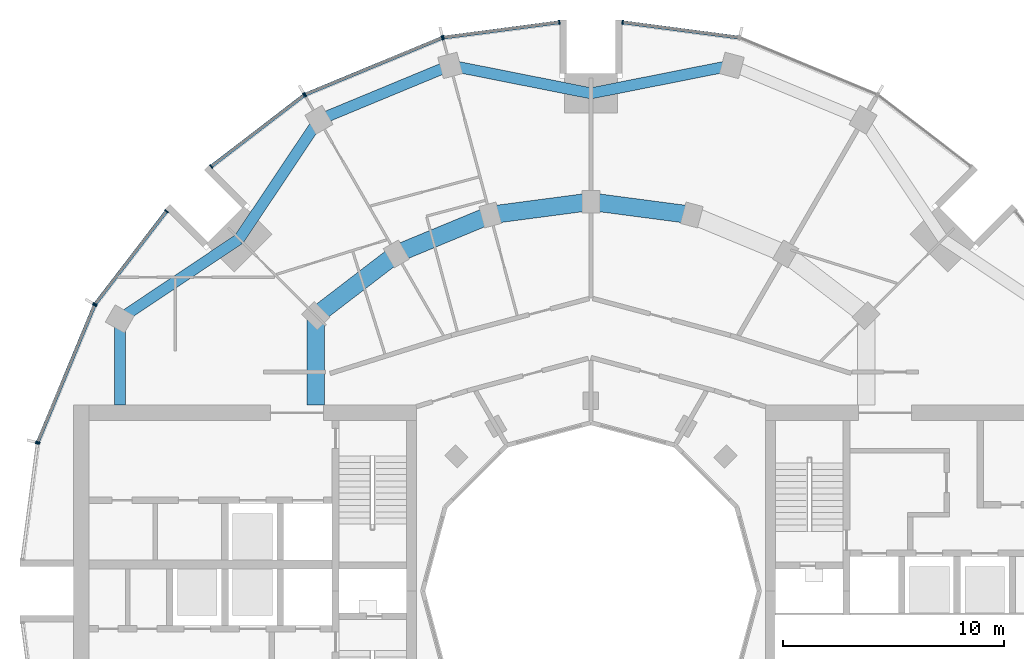
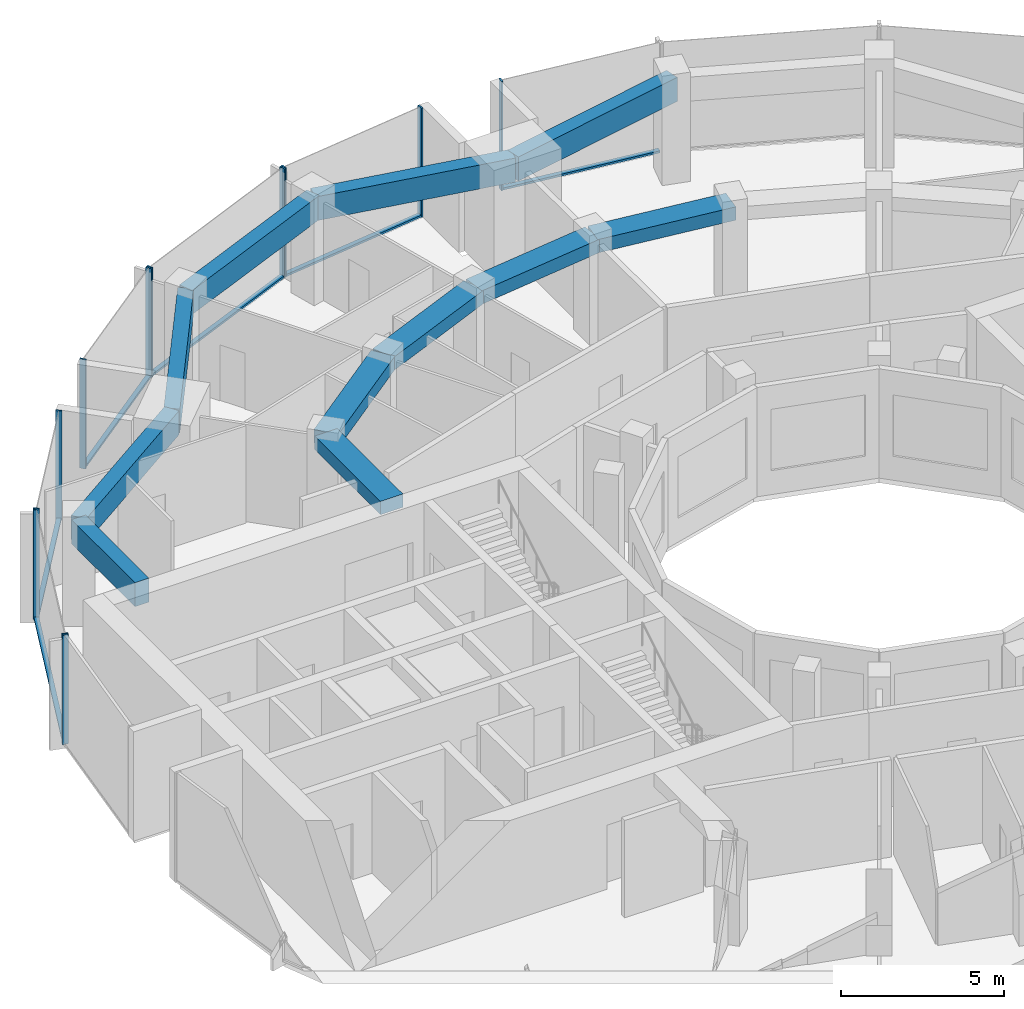
# One storey, part 5 of 15: 18 members, 11 beams, 7 elements without a shape of their own.
"""IFC4 building model written with IfcOpenShell, lengths in metres."""

from ifc_helpers import new_model, si_unit, direction, frame, origin, origin_2d, place, context, subcontext, project, spatial, rectangle, extrude, material, layer, layer_set, material_profile, profile_set, type_object, element, aggregate, save


model = new_model("IFC4")

# Units and contexts
model_context = context("Model", 3, precision=1e-05, world=origin(), true_north=direction((0.0, 1.0)))
body_context = subcontext(model_context, "Body", "Model", "MODEL_VIEW")
ifc_project = project(units=[si_unit("LENGTHUNIT", "METRE"), si_unit("AREAUNIT", "SQUARE_METRE"), si_unit("VOLUMEUNIT", "CUBIC_METRE"), si_unit("PLANEANGLEUNIT", "RADIAN"), si_unit("MASSUNIT", "GRAM", prefix="KILO")], contexts=[model_context])

# Site, building, storey
site_placement = place(None, origin())
site = spatial("IfcSite", under=ifc_project, at=site_placement, CompositionType="ELEMENT")
building_placement = place(site_placement, origin())
building = spatial("IfcBuilding", under=site, at=building_placement, Name="Torre Brocal", CompositionType="ELEMENT")
storey_placement = place(building_placement, frame((0.0, 0.0, 161.800048828125)))
storey = spatial("IfcBuildingStorey", under=building, at=storey_placement, Name="L37", CompositionType="ELEMENT", Elevation=161.800048828125)

# Curtain wall, member
ifc_material_1 = material(Name="Aluminium and glass", Category="aluminium")
ifc_layer_1 = layer(ifc_material_1, 0.199951171875)
ifc_layer_set_1 = layer_set([ifc_layer_1], Name="Aluminium and glass")
curtain_wall_type_1 = type_object("IfcCurtainWallType", Name="CW-1 CURTAIN WALL 4100 HIGH", PredefinedType="NOTDEFINED", material=ifc_layer_set_1)
curtain_wall_1_placement = place(storey_placement, origin())
curtain_wall_1 = element("IfcCurtainWall", 1, at=curtain_wall_1_placement, inside=storey, type_object=curtain_wall_type_1, Name="CW-1 RUN 6", PredefinedType="NOTDEFINED")
ifc_material_2 = material(Name="Aluminium, dark anodised", Category="aluminium")
ifc_material_profile_1 = material_profile(ifc_material_2, rectangle(XDim=0.199951171875, YDim=0.06005859375, at=origin_2d()), Name="CW-1 MULLION 60X200")
ifc_profile_set_1 = profile_set([ifc_material_profile_1], Name="Aluminium, dark anodised")
member_type_1 = type_object("IfcMemberType", Name="CW-1 MULLION 60X200", PredefinedType="MULLION", material=ifc_profile_set_1)
member_1_placement = place(storey_placement, frame((81.4296875, 100.7109375, 0.0), z_axis=(0.0, 0.0, 1.0), x_axis=(-0.13052619222, -0.991444861374, 0.0)))
member_1 = element("IfcMember", 2, at=member_1_placement, type_object=member_type_1, Name="CW1-4 mullion 2", PredefinedType="MULLION", context=body_context, shape_type="SweptSolid", body=[
    extrude(rectangle(XDim=0.199951171875, YDim=0.06005859375, at=origin_2d()), origin(), (0.0, 0.0, 1.0), 4.099853515625),
])

# Curtain wall, members
curtain_wall_2_placement = place(storey_placement, origin())
curtain_wall_2 = element("IfcCurtainWall", 3, at=curtain_wall_2_placement, inside=storey, type_object=curtain_wall_type_1, Name="CW-1 RUN 7", PredefinedType="NOTDEFINED")
member_2_placement = place(storey_placement, frame((78.5703125, 100.7109375, 0.0), z_axis=(0.0, 0.0, 1.0), x_axis=(0.13052619222, -0.991444861374, 0.0)))
member_2 = element("IfcMember", 4, at=member_2_placement, type_object=member_type_1, Name="CW1-4 mullion 1", PredefinedType="MULLION", context=body_context, shape_type="SweptSolid", body=[
    extrude(rectangle(XDim=0.199951171875, YDim=0.06005859375, at=origin_2d()), origin(), (0.0, 0.0, 1.0), 4.099853515625),
])
member_3_placement = place(storey_placement, frame((73.32666015625, 100.0205078125, 0.0), z_axis=(0.0, 0.0, 1.0), x_axis=(0.13052619222, -0.991444861374, 0.0)))
member_3 = element("IfcMember", 5, at=member_3_placement, type_object=member_type_1, Name="CW1-4 mullion 2", PredefinedType="MULLION", context=body_context, shape_type="SweptSolid", body=[
    extrude(rectangle(XDim=0.199951171875, YDim=0.06005859375, at=origin_2d()), origin(), (0.0, 0.0, 1.0), 4.099853515625),
])

curtain_wall_3_placement = place(storey_placement, origin())
curtain_wall_3 = element("IfcCurtainWall", 6, at=curtain_wall_3_placement, inside=storey, type_object=curtain_wall_type_1, Name="CW-1 RUN 8", PredefinedType="NOTDEFINED")
member_4_placement = place(storey_placement, frame((73.26904296875, 100.005126953125, 0.0), z_axis=(0.0, 0.0, 1.0), x_axis=(0.382683432333, -0.923879532525, 0.0)))
member_4 = element("IfcMember", 7, at=member_4_placement, type_object=member_type_1, Name="CW1-4 mullion 1", PredefinedType="MULLION", context=body_context, shape_type="SweptSolid", body=[
    extrude(rectangle(XDim=0.199951171875, YDim=0.06005859375, at=origin_2d()), origin(), (0.0, 0.0, 1.0), 4.099853515625),
])
member_5_placement = place(storey_placement, frame((67.078125, 97.440673828125, 0.0), z_axis=(0.0, 0.0, 1.0), x_axis=(0.382683432333, -0.923879532525, 0.0)))
member_5 = element("IfcMember", 8, at=member_5_placement, type_object=member_type_1, Name="CW1-4 mullion 2", PredefinedType="MULLION", context=body_context, shape_type="SweptSolid", body=[
    extrude(rectangle(XDim=0.199951171875, YDim=0.06005859375, at=origin_2d()), origin(), (0.0, 0.0, 1.0), 4.099853515625),
])

curtain_wall_4_placement = place(storey_placement, origin())
curtain_wall_4 = element("IfcCurtainWall", 9, at=curtain_wall_4_placement, inside=storey, type_object=curtain_wall_type_1, Name="CW-1 RUN 9", PredefinedType="NOTDEFINED")
member_6_placement = place(storey_placement, frame((67.026611328125, 97.4111328125, 0.0), z_axis=(0.0, 0.0, 1.0), x_axis=(0.60876142905, -0.793353340259, 0.0)))
member_6 = element("IfcMember", 10, at=member_6_placement, type_object=member_type_1, Name="CW1-4 mullion 1", PredefinedType="MULLION", context=body_context, shape_type="SweptSolid", body=[
    extrude(rectangle(XDim=0.199951171875, YDim=0.06005859375, at=origin_2d()), origin(), (0.0, 0.0, 1.0), 4.099853515625),
])
member_7_placement = place(storey_placement, frame((62.83056640625, 94.19140625, 0.0), z_axis=(0.0, 0.0, 1.0), x_axis=(0.60876142905, -0.793353340259, 0.0)))
member_7 = element("IfcMember", 11, at=member_7_placement, type_object=member_type_1, Name="CW1-4 mullion 2", PredefinedType="MULLION", context=body_context, shape_type="SweptSolid", body=[
    extrude(rectangle(XDim=0.199951171875, YDim=0.06005859375, at=origin_2d()), origin(), (0.0, 0.0, 1.0), 4.099853515625),
])

curtain_wall_5_placement = place(storey_placement, origin())
curtain_wall_5 = element("IfcCurtainWall", 12, at=curtain_wall_5_placement, inside=storey, type_object=curtain_wall_type_1, Name="CW-1 RUN 10", PredefinedType="NOTDEFINED")
member_8_placement = place(storey_placement, frame((60.80859375, 92.16943359375, 0.0), z_axis=(0.0, 0.0, 1.0), x_axis=(0.793353340259, -0.60876142905, 0.0)))
member_8 = element("IfcMember", 13, at=member_8_placement, type_object=member_type_1, Name="CW1-4 mullion 1", PredefinedType="MULLION", context=body_context, shape_type="SweptSolid", body=[
    extrude(rectangle(XDim=0.199951171875, YDim=0.06005859375, at=origin_2d()), origin(), (0.0, 0.0, 1.0), 4.099853515625),
])
member_9_placement = place(storey_placement, frame((57.5888671875, 87.973388671875, 0.0), z_axis=(0.0, 0.0, 1.0), x_axis=(0.793353340259, -0.60876142905, 0.0)))
member_9 = element("IfcMember", 14, at=member_9_placement, type_object=member_type_1, Name="CW1-4 mullion 2", PredefinedType="MULLION", context=body_context, shape_type="SweptSolid", body=[
    extrude(rectangle(XDim=0.199951171875, YDim=0.06005859375, at=origin_2d()), origin(), (0.0, 0.0, 1.0), 4.099853515625),
])

curtain_wall_6_placement = place(storey_placement, origin())
curtain_wall_6 = element("IfcCurtainWall", 15, at=curtain_wall_6_placement, inside=storey, type_object=curtain_wall_type_1, Name="CW-1 RUN 11", PredefinedType="NOTDEFINED")
member_10_placement = place(storey_placement, frame((57.559326171875, 87.921875, 0.0), z_axis=(0.0, 0.0, 1.0), x_axis=(0.923879532525, -0.382683432333, 0.0)))
member_10 = element("IfcMember", 16, at=member_10_placement, type_object=member_type_1, Name="CW1-4 mullion 1", PredefinedType="MULLION", context=body_context, shape_type="SweptSolid", body=[
    extrude(rectangle(XDim=0.199951171875, YDim=0.06005859375, at=origin_2d()), origin(), (0.0, 0.0, 1.0), 4.099853515625),
])
member_11_placement = place(storey_placement, frame((54.994873046875, 81.73095703125, 0.0), z_axis=(0.0, 0.0, 1.0), x_axis=(0.923879532525, -0.382683432333, 0.0)))
member_11 = element("IfcMember", 17, at=member_11_placement, type_object=member_type_1, Name="CW1-4 mullion 2", PredefinedType="MULLION", context=body_context, shape_type="SweptSolid", body=[
    extrude(rectangle(XDim=0.199951171875, YDim=0.06005859375, at=origin_2d()), origin(), (0.0, 0.0, 1.0), 4.099853515625),
])

# Member
ifc_material_3 = material(Name="Aluminium, dark anodised", Category="aluminium")
ifc_material_profile_2 = material_profile(ifc_material_3, rectangle(XDim=0.159912109375, YDim=0.080078125, at=origin_2d()), Name="CW-1 TRANSOM 160X80")
ifc_profile_set_2 = profile_set([ifc_material_profile_2], Name="Aluminium, dark anodised")
member_type_2 = type_object("IfcMemberType", Name="CW-1 TRANSOM 160X80", PredefinedType="USERDEFINED", material=ifc_profile_set_2)
member_12_placement = place(storey_placement, frame((86.643798828125, 100.0244140625, 0.0400390625), z_axis=(-0.991442690863, 0.130542677827, 0.0), x_axis=(-0.130542677827, -0.991442690863, 0.0)))
member_12 = element("IfcMember", 18, at=member_12_placement, type_object=member_type_2, Name="CW1-4 transom 1.1", ObjectType="TRANSOM", PredefinedType="USERDEFINED", context=body_context, shape_type="SweptSolid", body=[
    extrude(rectangle(XDim=0.159912109375, YDim=0.080078125, at=origin_2d()), origin(), (0.0, 0.0, 1.0), 5.22900390625),
])

aggregate(curtain_wall_1, [member_1, member_12])

member_13_placement = place(storey_placement, frame((78.54052734375, 100.70703125, 0.0400390625), z_axis=(-0.991442690863, -0.130542677827, 0.0), x_axis=(0.130542677827, -0.991442690863, 0.0)))
member_13 = element("IfcMember", 19, at=member_13_placement, type_object=member_type_2, Name="CW1-4 transom 1.1", ObjectType="TRANSOM", PredefinedType="USERDEFINED", context=body_context, shape_type="SweptSolid", body=[
    extrude(rectangle(XDim=0.159912109375, YDim=0.080078125, at=origin_2d()), origin(), (0.0, 0.0, 1.0), 5.22900390625),
])

aggregate(curtain_wall_2, [member_2, member_3, member_13])

member_14_placement = place(storey_placement, frame((73.241455078125, 99.99365234375, 0.0400390625), z_axis=(-0.923887344364, -0.38266457234, 0.0), x_axis=(0.38266457234, -0.923887344364, 0.0)))
member_14 = element("IfcMember", 20, at=member_14_placement, type_object=member_type_2, Name="CW1-4 transom 1.1", ObjectType="TRANSOM", PredefinedType="USERDEFINED", context=body_context, shape_type="SweptSolid", body=[
    extrude(rectangle(XDim=0.159912109375, YDim=0.080078125, at=origin_2d()), origin(), (0.0, 0.0, 1.0), 6.640869140625),
])

aggregate(curtain_wall_3, [member_4, member_5, member_14])

member_15_placement = place(storey_placement, frame((67.0029296875, 97.392822265625, 0.0400390625), z_axis=(-0.79336281513, -0.60874908096, 0.0), x_axis=(0.60874908096, -0.79336281513, 0.0)))
member_15 = element("IfcMember", 21, at=member_15_placement, type_object=member_type_2, Name="CW1-4 transom 1.1", ObjectType="TRANSOM", PredefinedType="USERDEFINED", context=body_context, shape_type="SweptSolid", body=[
    extrude(rectangle(XDim=0.159912109375, YDim=0.080078125, at=origin_2d()), origin(), (0.0, 0.0, 1.0), 5.22900390625),
])

aggregate(curtain_wall_4, [member_6, member_7, member_15])

member_16_placement = place(storey_placement, frame((60.790283203125, 92.1455078125, 0.0400390625), z_axis=(-0.60874908096, -0.79336281513, 0.0), x_axis=(0.79336281513, -0.60874908096, 0.0)))
member_16 = element("IfcMember", 22, at=member_16_placement, type_object=member_type_2, Name="CW1-4 transom 1.1", ObjectType="TRANSOM", PredefinedType="USERDEFINED", context=body_context, shape_type="SweptSolid", body=[
    extrude(rectangle(XDim=0.159912109375, YDim=0.080078125, at=origin_2d()), origin(), (0.0, 0.0, 1.0), 5.22900390625),
])

aggregate(curtain_wall_5, [member_8, member_9, member_16])

member_17_placement = place(storey_placement, frame((57.547607421875, 87.89404296875, 0.0400390625), z_axis=(-0.38266457234, -0.923887344364, 0.0), x_axis=(0.923887344364, -0.38266457234, 0.0)))
member_17 = element("IfcMember", 23, at=member_17_placement, type_object=member_type_2, Name="CW1-4 transom 1.1", ObjectType="TRANSOM", PredefinedType="USERDEFINED", context=body_context, shape_type="SweptSolid", body=[
    extrude(rectangle(XDim=0.159912109375, YDim=0.080078125, at=origin_2d()), origin(), (0.0, 0.0, 1.0), 6.640869140625),
])

aggregate(curtain_wall_6, [member_10, member_11, member_17])

# Curtain wall, member
ifc_material_4 = material(Name="Aluminium and glass", Category="aluminium")
ifc_layer_2 = layer(ifc_material_4, 0.199951171875)
ifc_layer_set_2 = layer_set([ifc_layer_2], Name="Aluminium and glass")
curtain_wall_type_2 = type_object("IfcCurtainWallType", Name="CW-1B CURTAIN WALL 4100 HIGH", PredefinedType="NOTDEFINED", material=ifc_layer_set_2)
curtain_wall_7_placement = place(storey_placement, origin())
curtain_wall_7 = element("IfcCurtainWall", 24, at=curtain_wall_7_placement, inside=storey, type_object=curtain_wall_type_2, Name="CW-1B RUN 12", PredefinedType="NOTDEFINED")
ifc_material_5 = material(Name="Aluminium, dark anodised", Category="aluminium")
ifc_material_profile_3 = material_profile(ifc_material_5, rectangle(XDim=0.199951171875, YDim=0.06005859375, at=origin_2d()), Name="CW-1B MULLION 60X200")
ifc_profile_set_3 = profile_set([ifc_material_profile_3], Name="Aluminium, dark anodised")
member_type_3 = type_object("IfcMemberType", Name="CW-1B MULLION 60X200", PredefinedType="MULLION", material=ifc_profile_set_3)
member_18_placement = place(storey_placement, frame((54.9794921875, 81.67333984375, 0.0), z_axis=(0.0, 0.0, 1.0), x_axis=(0.991444861374, -0.13052619222, 0.0)))
member_18 = element("IfcMember", 25, at=member_18_placement, type_object=member_type_3, Name="CW1B-4 mullion 1", PredefinedType="MULLION", context=body_context, shape_type="SweptSolid", body=[
    extrude(rectangle(XDim=0.199951171875, YDim=0.06005859375, at=origin_2d()), origin(), (0.0, 0.0, 1.0), 4.099853515625),
])
aggregate(curtain_wall_7, [member_18])

# Beams
ifc_material_6 = material(Name="Concrete C50", Category="concrete")
ifc_material_profile_4 = material_profile(ifc_material_6, rectangle(XDim=0.800048828125, YDim=0.5, at=origin_2d()), Name="RC 800X500")
ifc_profile_set_4 = profile_set([ifc_material_profile_4], Name="Concrete C50")
beam_type_1 = type_object("IfcBeamType", Name="RC BEAM 800X500 C50 TOP 3780", PredefinedType="BEAM", material=ifc_profile_set_4)
for number, where, z_axis, x_axis, name in (
    (26, (84.55517578125, 92.000244140625, 3.530029296875), (-0.991440544449, 0.130558978332, 0.0), (-0.130558978332, -0.991440544449, 0.0), "Beam BT-32"),
    (27, (80.0, 92.60009765625, 3.530029296875), (-0.991440544449, -0.130558978332, 0.0), (0.130558978332, -0.991440544449, 0.0), "Beam BT-32"),
):
    element("IfcBeam", number, at=place(storey_placement, frame(where, z_axis=z_axis, x_axis=x_axis)), inside=storey, type_object=beam_type_1, Name=name, PredefinedType="BEAM", context=body_context, shape_type="SweptSolid", body=[
        extrude(rectangle(XDim=0.800048828125, YDim=0.5, at=origin_2d()), origin(), (0.0, 0.0, 1.0), 4.594482421875),
    ])
beam_1_placement = place(storey_placement, frame((75.44482421875, 92.000244140625, 3.530029296875), z_axis=(-0.923878240166, -0.382686552348, 0.0), x_axis=(0.382686552348, -0.923878240166, 0.0)))
element("IfcBeam", 28, at=beam_1_placement, inside=storey, type_object=beam_type_1, Name="Beam BT-32", PredefinedType="BEAM", context=body_context, shape_type="SweptSolid", body=[
    extrude(rectangle(XDim=0.800048828125, YDim=0.5, at=origin_2d()), origin(), (0.0, 0.0, 1.0), 4.5947265625),
])
beam_2_placement = place(storey_placement, frame((71.199951171875, 90.241943359375, 3.530029296875), z_axis=(-0.793358265959, -0.6087550097, 0.0), x_axis=(0.6087550097, -0.793358265959, 0.0)))
element("IfcBeam", 29, at=beam_2_placement, inside=storey, type_object=beam_type_1, Name="Beam BT-32", PredefinedType="BEAM", context=body_context, shape_type="SweptSolid", body=[
    extrude(rectangle(XDim=0.800048828125, YDim=0.5, at=origin_2d()), origin(), (0.0, 0.0, 1.0), 4.594482421875),
])
beam_3_placement = place(storey_placement, frame((67.554931640625, 87.445068359375, 3.530029296875), z_axis=(0.0, -1.0, 0.0), x_axis=(1.0, 0.0, 0.0)))
element("IfcBeam", 30, at=beam_3_placement, inside=storey, type_object=beam_type_1, Name="Beam BT-32", PredefinedType="BEAM", context=body_context, shape_type="SweptSolid", body=[
    extrude(rectangle(XDim=0.800048828125, YDim=0.5, at=origin_2d()), origin(), (0.0, 0.0, 1.0), 4.045166015625),
])
ifc_material_7 = material(Name="Concrete C50", Category="concrete")
ifc_material_profile_5 = material_profile(ifc_material_7, rectangle(XDim=0.5, YDim=0.89990234375, at=origin_2d()), Name="RC 500X900")
ifc_profile_set_5 = profile_set([ifc_material_profile_5], Name="Concrete C50")
beam_type_2 = type_object("IfcBeamType", Name="RC SPANDREL BEAM 500X900 C50 TOP 3780", PredefinedType="SPANDREL", material=ifc_profile_set_5)
for number, where, z_axis, x_axis, name in (
    (31, (86.366943359375, 98.76171875, 3.329833984375), (-0.980924907484, -0.194387051723, 0.0), (0.194387051723, -0.980924907484, 0.0), "Beam BT-33"),
    (32, (80.0, 97.5, 3.329833984375), (-0.980924907484, 0.194387051723, 0.0), (-0.194387051723, -0.980924907484, 0.0), "Beam BT-33"),
):
    element("IfcBeam", number, at=place(storey_placement, frame(where, z_axis=z_axis, x_axis=x_axis)), inside=storey, type_object=beam_type_2, Name=name, PredefinedType="SPANDREL", context=body_context, shape_type="SweptSolid", body=[
        extrude(rectangle(XDim=0.5, YDim=0.89990234375, at=origin_2d()), origin(), (0.0, 0.0, 1.0), 6.49072265625),
    ])
beam_4_placement = place(storey_placement, frame((73.633056640625, 98.76171875, 3.329833984375), z_axis=(-0.923882462513, -0.382676358639, 0.0), x_axis=(0.382676358639, -0.923882462513, 0.0)))
element("IfcBeam", 33, at=beam_4_placement, inside=storey, type_object=beam_type_2, Name="Beam BT-33", PredefinedType="SPANDREL", context=body_context, shape_type="SweptSolid", body=[
    extrude(rectangle(XDim=0.5, YDim=0.89990234375, at=origin_2d()), origin(), (0.0, 0.0, 1.0), 6.421875),
])
for number, where, z_axis, x_axis, name in (
    (34, (67.699951171875, 96.30419921875, 3.329833984375), (-0.556157602282, -0.831076844476, 0.0), (0.831076844476, -0.556157602282, 0.0), "Beam BT-33"),
    (35, (64.090087890625, 90.909912109375, 3.329833984375), (-0.831076844476, -0.556157602282, 0.0), (0.556157602282, -0.831076844476, 0.0), "Beam BT-33"),
):
    element("IfcBeam", number, at=place(storey_placement, frame(where, z_axis=z_axis, x_axis=x_axis)), inside=storey, type_object=beam_type_2, Name=name, PredefinedType="SPANDREL", context=body_context, shape_type="SweptSolid", body=[
        extrude(rectangle(XDim=0.5, YDim=0.89990234375, at=origin_2d()), origin(), (0.0, 0.0, 1.0), 6.49072265625),
    ])
beam_5_placement = place(storey_placement, frame((58.69580078125, 87.300048828125, 3.329833984375), z_axis=(0.0, -1.0, 0.0), x_axis=(1.0, 0.0, 0.0)))
element("IfcBeam", 36, at=beam_5_placement, inside=storey, type_object=beam_type_2, Name="Beam BT-33", PredefinedType="SPANDREL", context=body_context, shape_type="SweptSolid", body=[
    extrude(rectangle(XDim=0.5, YDim=0.89990234375, at=origin_2d()), origin(), (0.0, 0.0, 1.0), 3.900146484375),
])

save(model, "model.ifc")
